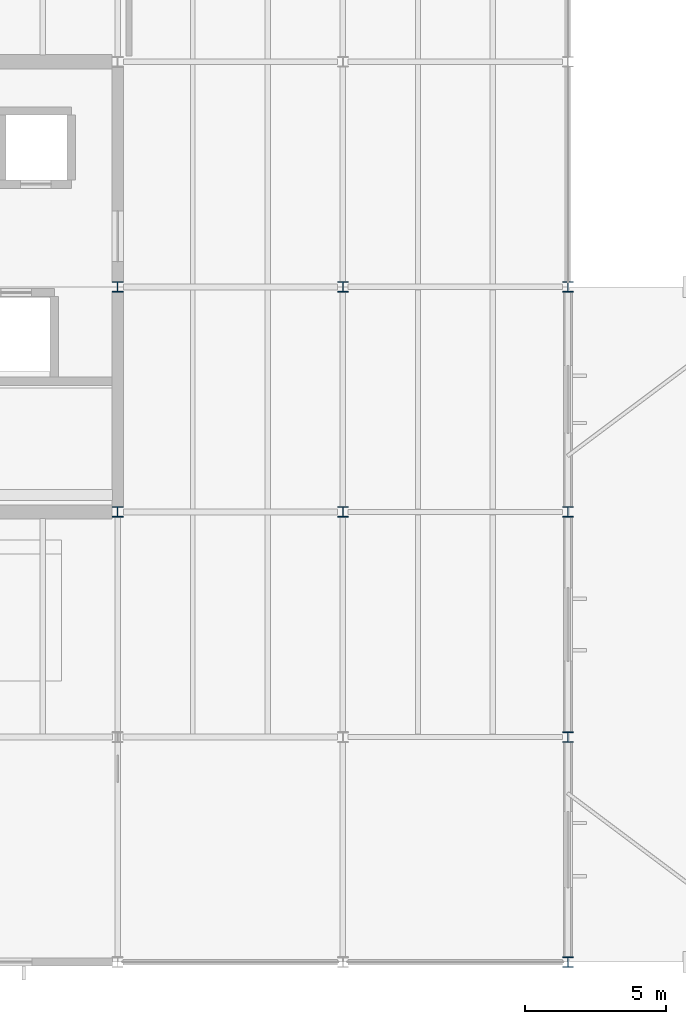
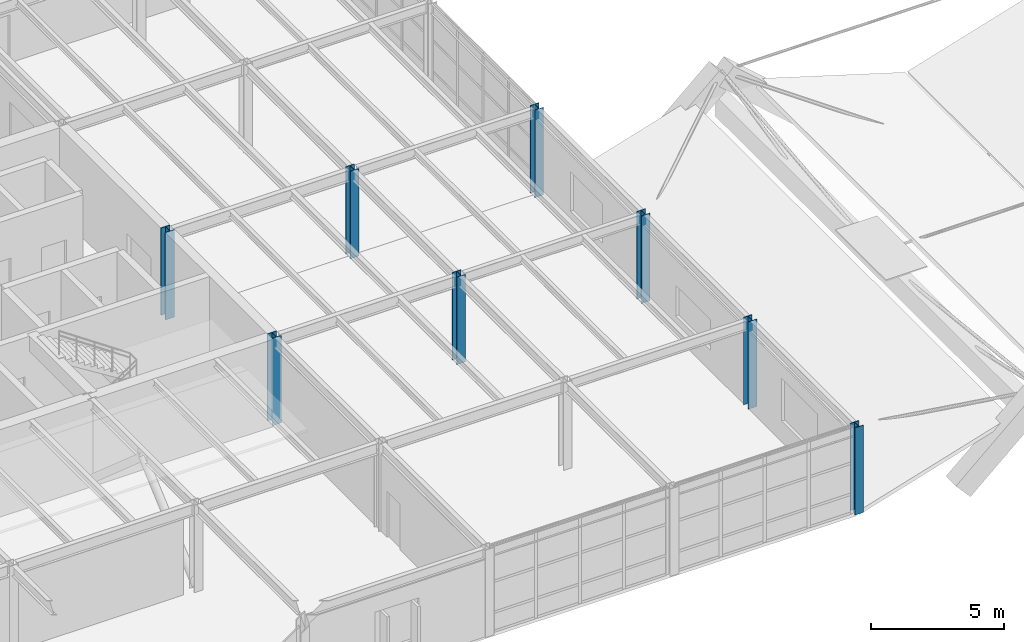
# One storey, part 2 of 50: 8 columns.
"""IFC4 building model written with IfcOpenShell, lengths in metres."""

from ifc_helpers import new_model, si_unit, direction, frame, origin, origin_2d, place, context, subcontext, project, spatial, i_section, extrude, material, material_profile, profile_set, type_object, element, save


model = new_model("IFC4")

# Units and contexts
model_context = context("Model", 3, precision=1e-05, world=origin(), true_north=direction((0.0, 1.0)))
body_context = subcontext(model_context, "Body", "Model", "MODEL_VIEW")
ifc_project = project(units=[si_unit("LENGTHUNIT", "METRE"), si_unit("AREAUNIT", "SQUARE_METRE"), si_unit("VOLUMEUNIT", "CUBIC_METRE"), si_unit("PLANEANGLEUNIT", "RADIAN"), si_unit("MASSUNIT", "GRAM", prefix="KILO")], contexts=[model_context])

# Site, building, storey
site_placement = place(None, origin())
site = spatial("IfcSite", under=ifc_project, at=site_placement, CompositionType="ELEMENT")
building_placement = place(site_placement, origin())
building = spatial("IfcBuilding", under=site, at=building_placement, Name="Varnela Railside Interchange", CompositionType="ELEMENT")
storey_placement = place(building_placement, frame((0.0, 0.0, 15.39990234375)))
storey = spatial("IfcBuildingStorey", under=building, at=storey_placement, Name="L03", CompositionType="ELEMENT", Elevation=15.39990234375)

# Columns
ifc_material = material(Name="Steel AR 350 (350 MPa)", Category="steel")
ifc_material_profile_1 = material_profile(ifc_material, i_section(OverallWidth=0.39404296875, OverallDepth=0.375, WebThickness=0.017333984375, FlangeThickness=0.027587890625, at=origin_2d()), Name="W360x216")
ifc_profile_set_1 = profile_set([ifc_material_profile_1], Name="Steel AR 350 (350 MPa)")
column_type_1 = type_object("IfcColumnType", Name="Superstructure Steel Col C-17", PredefinedType="COLUMN", material=ifc_profile_set_1)
for number, where, z_axis, x_axis, name in (
    (1, (36.0, 54.0, 0.0), (0.0, 0.0, 1.0), (1.0, 0.0, 0.0), "Column C-17 (L03) (CL-0881)"),
    (2, (36.0, 62.0, 0.0), (0.0, 0.0, 1.0), (1.0, 0.0, 0.0), "Column C-17 (L03) (CL-0882)"),
):
    element("IfcColumn", number, at=place(storey_placement, frame(where, z_axis=z_axis, x_axis=x_axis)), inside=storey, type_object=column_type_1, Name=name, PredefinedType="COLUMN", context=body_context, shape_type="SweptSolid", body=[
        extrude(i_section(OverallWidth=0.39404296875, OverallDepth=0.375, WebThickness=0.017333984375, FlangeThickness=0.027587890625, at=origin_2d()), origin(), (0.0, 0.0, 1.0), 4.0),
    ])
ifc_material_profile_2 = material_profile(ifc_material, i_section(OverallWidth=0.373046875, OverallDepth=0.367919921875, WebThickness=0.014892578125, FlangeThickness=0.02392578125, at=origin_2d()), Name="W360x179")
ifc_profile_set_2 = profile_set([ifc_material_profile_2], Name="Steel AR 350 (350 MPa)")
column_type_2 = type_object("IfcColumnType", Name="Superstructure Steel Col C-18", PredefinedType="COLUMN", material=ifc_profile_set_2)
for number, where, z_axis, x_axis, name in (
    (3, (44.0, 54.0, 0.0), (0.0, 0.0, 1.0), (1.0, 0.0, 0.0), "Column C-18 (L03) (CL-0889)"),
    (4, (44.0, 62.0, 0.0), (0.0, 0.0, 1.0), (1.0, 0.0, 0.0), "Column C-18 (L03) (CL-0890)"),
    (5, (52.0, 38.0, 0.0), (0.0, 0.0, 1.0), (1.0, 0.0, 0.0), "Column C-18 (L03) (CL-0895)"),
    (6, (52.0, 46.0, 0.0), (0.0, 0.0, 1.0), (1.0, 0.0, 0.0), "Column C-18 (L03) (CL-0896)"),
    (7, (52.0, 54.0, 0.0), (0.0, 0.0, 1.0), (1.0, 0.0, 0.0), "Column C-18 (L03) (CL-0897)"),
    (8, (52.0, 62.0, 0.0), (0.0, 0.0, 1.0), (1.0, 0.0, 0.0), "Column C-18 (L03) (CL-0898)"),
):
    element("IfcColumn", number, at=place(storey_placement, frame(where, z_axis=z_axis, x_axis=x_axis)), inside=storey, type_object=column_type_2, Name=name, PredefinedType="COLUMN", context=body_context, shape_type="SweptSolid", body=[
        extrude(i_section(OverallWidth=0.373046875, OverallDepth=0.367919921875, WebThickness=0.014892578125, FlangeThickness=0.02392578125, at=origin_2d()), origin(), (0.0, 0.0, 1.0), 4.0),
    ])

save(model, "model.ifc")
